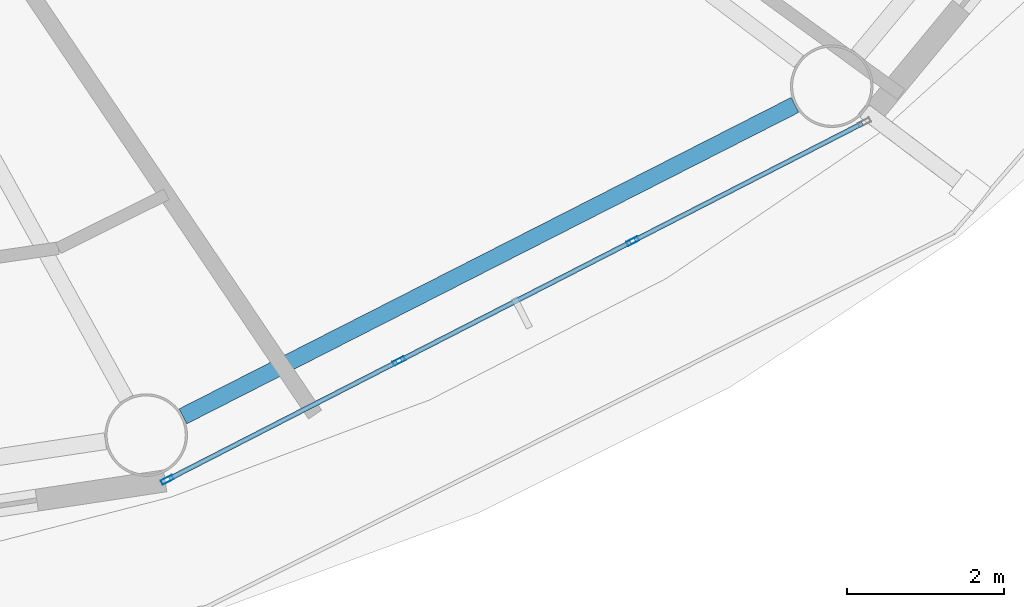
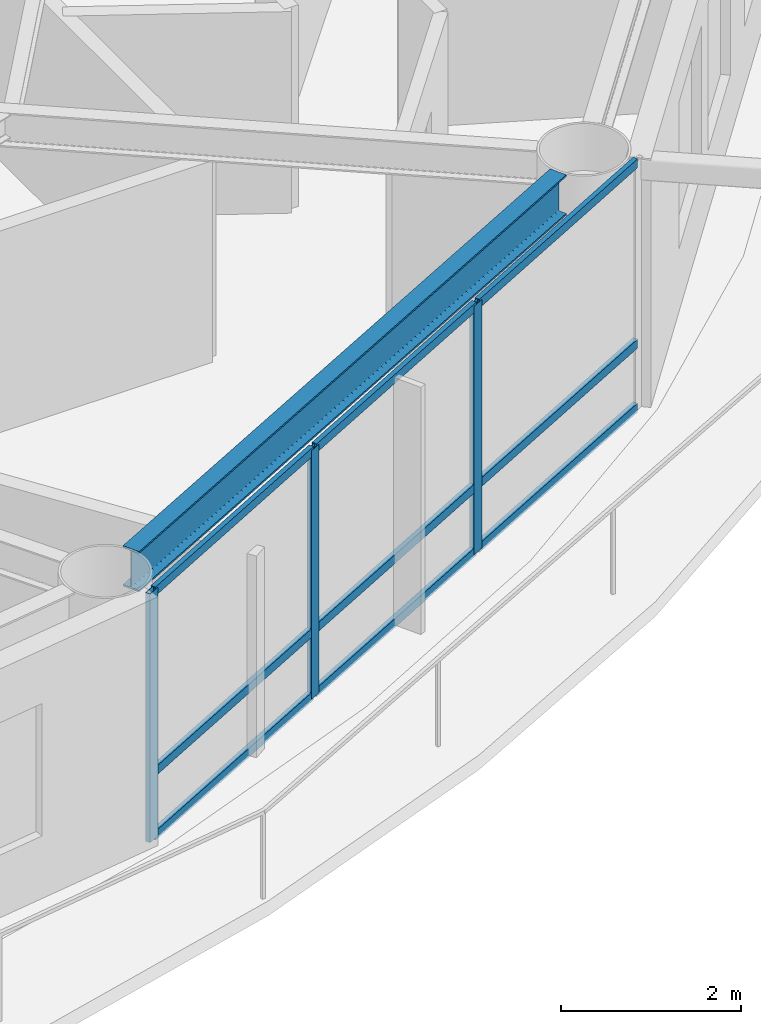
# One storey, part 5 of 29: 12 members, 1 beam, 1 element without a shape of its own.
"""IFC4 building model written with IfcOpenShell, lengths in metres."""

from ifc_helpers import new_model, si_unit, direction, frame, origin, origin_2d, place, context, subcontext, project, spatial, hollow_rectangle, i_section, extrude, material, layer, layer_set, material_profile, profile_set, type_object, element, aggregate, save


model = new_model("IFC4")

# Units and contexts
model_context = context("Model", 3, precision=1e-05, world=origin(), true_north=direction((0.0, 1.0)))
body_context = subcontext(model_context, "Body", "Model", "MODEL_VIEW")
ifc_project = project(units=[si_unit("LENGTHUNIT", "METRE"), si_unit("AREAUNIT", "SQUARE_METRE"), si_unit("VOLUMEUNIT", "CUBIC_METRE"), si_unit("PLANEANGLEUNIT", "RADIAN"), si_unit("MASSUNIT", "GRAM", prefix="KILO")], contexts=[model_context])

# Site, building, storey
site_placement = place(None, origin())
site = spatial("IfcSite", under=ifc_project, at=site_placement, CompositionType="ELEMENT")
building_placement = place(site_placement, origin())
building = spatial("IfcBuilding", under=site, at=building_placement, Name="Sarneth Arch Tower", CompositionType="ELEMENT")
storey_placement = place(building_placement, frame((0.0, 0.0, 175.800048828125)))
storey = spatial("IfcBuildingStorey", under=building, at=storey_placement, Name="L44", CompositionType="ELEMENT", Elevation=175.800048828125)

# Beam
ifc_material_1 = material(Name="Steel S355", Category="steel")
ifc_material_profile_1 = material_profile(ifc_material_1, i_section(OverallWidth=0.214111328125, OverallDepth=0.549072265625, WebThickness=0.0146484375, FlangeThickness=0.023681640625, FilletRadius=0.01806640625, at=origin_2d()), Name="W530x138")
ifc_profile_set_1 = profile_set([ifc_material_profile_1], Name="Steel S355")
beam_type = type_object("IfcBeamType", Name="BM-RAD-530A", PredefinedType="BEAM", material=ifc_profile_set_1)
beam_placement = place(storey_placement, frame((58.8896484375, 23.3447265625, 3.10546875), z_axis=(0.891254220899, 0.453504039374, 0.0), x_axis=(-0.453504039374, 0.891254220899, 0.0)))
element("IfcBeam", 1, at=beam_placement, inside=storey, type_object=beam_type, Name="L44 Perimeter spandrel beam 14", PredefinedType="BEAM", context=body_context, shape_type="SweptSolid", body=[
    extrude(i_section(OverallWidth=0.214111328125, OverallDepth=0.549072265625, WebThickness=0.0146484375, FlangeThickness=0.023681640625, FilletRadius=0.01806640625, at=origin_2d()), origin(), (0.0, 0.0, 1.0), 8.724853515625),
])

# Curtain wall, members
ifc_material_2 = material(Name="Anodised aluminium Type AA25 and solar-control low-e laminated IGU", Category="aluminium")
ifc_layer = layer(ifc_material_2, 0.169921875)
ifc_layer_set = layer_set([ifc_layer], Name="Anodised aluminium Type AA25 and solar-control low-e laminated IGU")
curtain_wall_type = type_object("IfcCurtainWallType", Name="CW-RES-MID", PredefinedType="NOTDEFINED", material=ifc_layer_set)
curtain_wall_placement = place(storey_placement, origin())
curtain_wall = element("IfcCurtainWall", 2, at=curtain_wall_placement, inside=storey, type_object=curtain_wall_type, Name="L44 Unitised curtain wall facet 14", PredefinedType="NOTDEFINED")
ifc_material_3 = material(Name="Anodised Aluminium 6063-T6", Category="aluminium")
ifc_material_profile_2 = material_profile(ifc_material_3, hollow_rectangle(XDim=0.06005859375, YDim=0.159912109375, WallThickness=0.00390625, at=origin_2d()), Name="AL-MULL-160x60x4")
ifc_profile_set_2 = profile_set([ifc_material_profile_2], Name="Anodised Aluminium 6063-T6")
member_type_1 = type_object("IfcMemberType", Name="CW-MULLION", PredefinedType="MULLION", material=ifc_profile_set_2)
member_1_placement = place(storey_placement, frame((58.689453125, 22.538330078125, 0.0), z_axis=(0.0, 0.0, 1.0), x_axis=(-0.456208470329, 0.88987293003, 0.0)))
member_1 = element("IfcMember", 3, at=member_1_placement, type_object=member_type_1, Name="CW-SYS-5 mullion 1", PredefinedType="MULLION", context=body_context, shape_type="SweptSolid", body=[
    extrude(hollow_rectangle(XDim=0.06005859375, YDim=0.159912109375, WallThickness=0.00390625, at=origin_2d()), origin(), (0.0, 0.0, 1.0), 3.3798828125),
])
member_2_placement = place(storey_placement, frame((61.634033203125, 24.0478515625, 0.0), z_axis=(0.0, 0.0, 1.0), x_axis=(-0.456208470329, 0.88987293003, 0.0)))
member_2 = element("IfcMember", 4, at=member_2_placement, type_object=member_type_1, Name="CW-SYS-5 mullion 2", PredefinedType="MULLION", context=body_context, shape_type="SweptSolid", body=[
    extrude(hollow_rectangle(XDim=0.06005859375, YDim=0.159912109375, WallThickness=0.00390625, at=origin_2d()), origin(), (0.0, 0.0, 1.0), 3.3798828125),
])
member_3_placement = place(storey_placement, frame((64.60498046875, 25.571044921875, 0.0), z_axis=(0.0, 0.0, 1.0), x_axis=(-0.456208470329, 0.88987293003, 0.0)))
member_3 = element("IfcMember", 5, at=member_3_placement, type_object=member_type_1, Name="CW-SYS-5 mullion 3", PredefinedType="MULLION", context=body_context, shape_type="SweptSolid", body=[
    extrude(hollow_rectangle(XDim=0.06005859375, YDim=0.159912109375, WallThickness=0.00390625, at=origin_2d()), origin(), (0.0, 0.0, 1.0), 3.3798828125),
])
ifc_material_4 = material(Name="Anodised Aluminium 6063-T6", Category="aluminium")
ifc_material_profile_3 = material_profile(ifc_material_4, hollow_rectangle(XDim=0.06005859375, YDim=0.1201171875, WallThickness=0.00390625, at=origin_2d()), Name="AL-TRAN-120x60x4")
ifc_profile_set_3 = profile_set([ifc_material_profile_3], Name="Anodised Aluminium 6063-T6")
member_type_2 = type_object("IfcMemberType", Name="CW-TRANSOM", PredefinedType="USERDEFINED", material=ifc_profile_set_3)
member_4_placement = place(storey_placement, frame((58.71630859375, 22.552001953125, 0.030029296875), z_axis=(0.889857362344, 0.456238835131, 0.0), x_axis=(-0.456238835131, 0.889857362344, 0.0)))
member_4 = element("IfcMember", 6, at=member_4_placement, type_object=member_type_2, Name="CW-SYS-5 transom 1.1", ObjectType="TRANSOM", PredefinedType="USERDEFINED", context=body_context, shape_type="SweptSolid", body=[
    extrude(hollow_rectangle(XDim=0.06005859375, YDim=0.1201171875, WallThickness=0.00390625, at=origin_2d()), origin(), (0.0, 0.0, 1.0), 3.248779296875),
])
member_5_placement = place(storey_placement, frame((58.71630859375, 22.552001953125, 0.89990234375), z_axis=(0.889857362344, 0.456238835131, 0.0), x_axis=(-0.456238835131, 0.889857362344, 0.0)))
member_5 = element("IfcMember", 7, at=member_5_placement, type_object=member_type_2, Name="CW-SYS-5 transom 1.2", ObjectType="TRANSOM", PredefinedType="USERDEFINED", context=body_context, shape_type="SweptSolid", body=[
    extrude(hollow_rectangle(XDim=0.06005859375, YDim=0.1201171875, WallThickness=0.00390625, at=origin_2d()), origin(), (0.0, 0.0, 1.0), 3.248779296875),
])
member_6_placement = place(storey_placement, frame((58.71630859375, 22.552001953125, 3.349853515625), z_axis=(0.889857362344, 0.456238835131, 0.0), x_axis=(-0.456238835131, 0.889857362344, 0.0)))
member_6 = element("IfcMember", 8, at=member_6_placement, type_object=member_type_2, Name="CW-SYS-5 transom 1.3", ObjectType="TRANSOM", PredefinedType="USERDEFINED", context=body_context, shape_type="SweptSolid", body=[
    extrude(hollow_rectangle(XDim=0.06005859375, YDim=0.1201171875, WallThickness=0.00390625, at=origin_2d()), origin(), (0.0, 0.0, 1.0), 3.248779296875),
])
member_7_placement = place(storey_placement, frame((61.66064453125, 24.0615234375, 0.030029296875), z_axis=(0.889869396751, 0.45621536222, 0.0), x_axis=(-0.45621536222, 0.889869396751, 0.0)))
member_7 = element("IfcMember", 9, at=member_7_placement, type_object=member_type_2, Name="CW-SYS-5 transom 2.1", ObjectType="TRANSOM", PredefinedType="USERDEFINED", context=body_context, shape_type="SweptSolid", body=[
    extrude(hollow_rectangle(XDim=0.06005859375, YDim=0.1201171875, WallThickness=0.00390625, at=origin_2d()), origin(), (0.0, 0.0, 1.0), 3.27880859375),
])
member_8_placement = place(storey_placement, frame((61.66064453125, 24.0615234375, 0.89990234375), z_axis=(0.889869396751, 0.45621536222, 0.0), x_axis=(-0.45621536222, 0.889869396751, 0.0)))
member_8 = element("IfcMember", 10, at=member_8_placement, type_object=member_type_2, Name="CW-SYS-5 transom 2.2", ObjectType="TRANSOM", PredefinedType="USERDEFINED", context=body_context, shape_type="SweptSolid", body=[
    extrude(hollow_rectangle(XDim=0.06005859375, YDim=0.1201171875, WallThickness=0.00390625, at=origin_2d()), origin(), (0.0, 0.0, 1.0), 3.27880859375),
])
member_9_placement = place(storey_placement, frame((61.66064453125, 24.0615234375, 3.349853515625), z_axis=(0.889869396751, 0.45621536222, 0.0), x_axis=(-0.45621536222, 0.889869396751, 0.0)))
member_9 = element("IfcMember", 11, at=member_9_placement, type_object=member_type_2, Name="CW-SYS-5 transom 2.3", ObjectType="TRANSOM", PredefinedType="USERDEFINED", context=body_context, shape_type="SweptSolid", body=[
    extrude(hollow_rectangle(XDim=0.06005859375, YDim=0.1201171875, WallThickness=0.00390625, at=origin_2d()), origin(), (0.0, 0.0, 1.0), 3.27880859375),
])
member_10_placement = place(storey_placement, frame((64.6318359375, 25.584716796875, 0.030029296875), z_axis=(0.889857362344, 0.456238835131, 0.0), x_axis=(-0.456238835131, 0.889857362344, 0.0)))
member_10 = element("IfcMember", 12, at=member_10_placement, type_object=member_type_2, Name="CW-SYS-5 transom 3.1", ObjectType="TRANSOM", PredefinedType="USERDEFINED", context=body_context, shape_type="SweptSolid", body=[
    extrude(hollow_rectangle(XDim=0.06005859375, YDim=0.1201171875, WallThickness=0.00390625, at=origin_2d()), origin(), (0.0, 0.0, 1.0), 3.248779296875),
])
member_11_placement = place(storey_placement, frame((64.6318359375, 25.584716796875, 0.89990234375), z_axis=(0.889857362344, 0.456238835131, 0.0), x_axis=(-0.456238835131, 0.889857362344, 0.0)))
member_11 = element("IfcMember", 13, at=member_11_placement, type_object=member_type_2, Name="CW-SYS-5 transom 3.2", ObjectType="TRANSOM", PredefinedType="USERDEFINED", context=body_context, shape_type="SweptSolid", body=[
    extrude(hollow_rectangle(XDim=0.06005859375, YDim=0.1201171875, WallThickness=0.00390625, at=origin_2d()), origin(), (0.0, 0.0, 1.0), 3.248779296875),
])
member_12_placement = place(storey_placement, frame((64.6318359375, 25.584716796875, 3.349853515625), z_axis=(0.889857362344, 0.456238835131, 0.0), x_axis=(-0.456238835131, 0.889857362344, 0.0)))
member_12 = element("IfcMember", 14, at=member_12_placement, type_object=member_type_2, Name="CW-SYS-5 transom 3.3", ObjectType="TRANSOM", PredefinedType="USERDEFINED", context=body_context, shape_type="SweptSolid", body=[
    extrude(hollow_rectangle(XDim=0.06005859375, YDim=0.1201171875, WallThickness=0.00390625, at=origin_2d()), origin(), (0.0, 0.0, 1.0), 3.248779296875),
])
aggregate(curtain_wall, [member_1, member_2, member_3, member_4, member_5, member_6, member_7, member_8, member_9, member_10, member_11, member_12])

save(model, "model.ifc")
